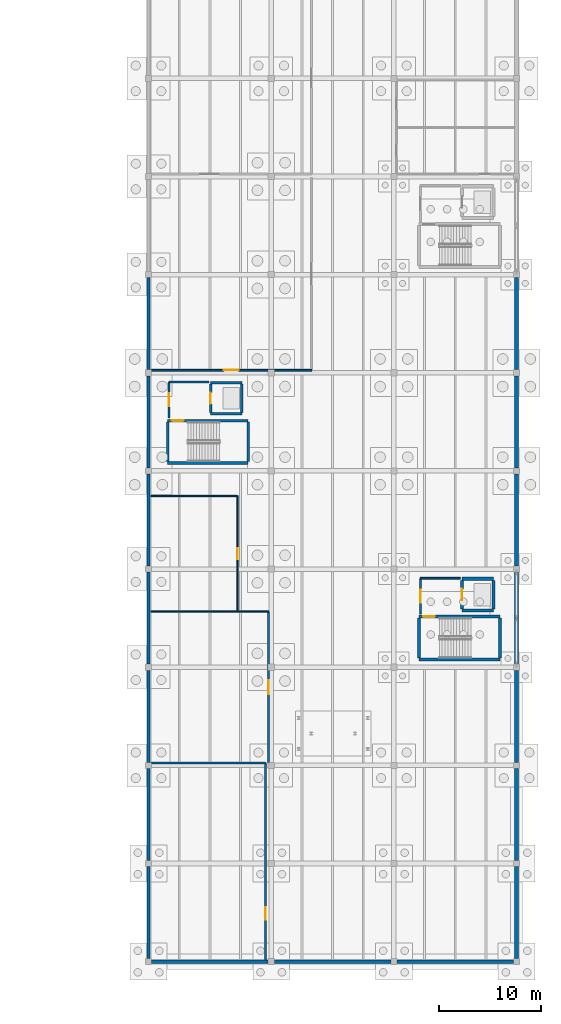
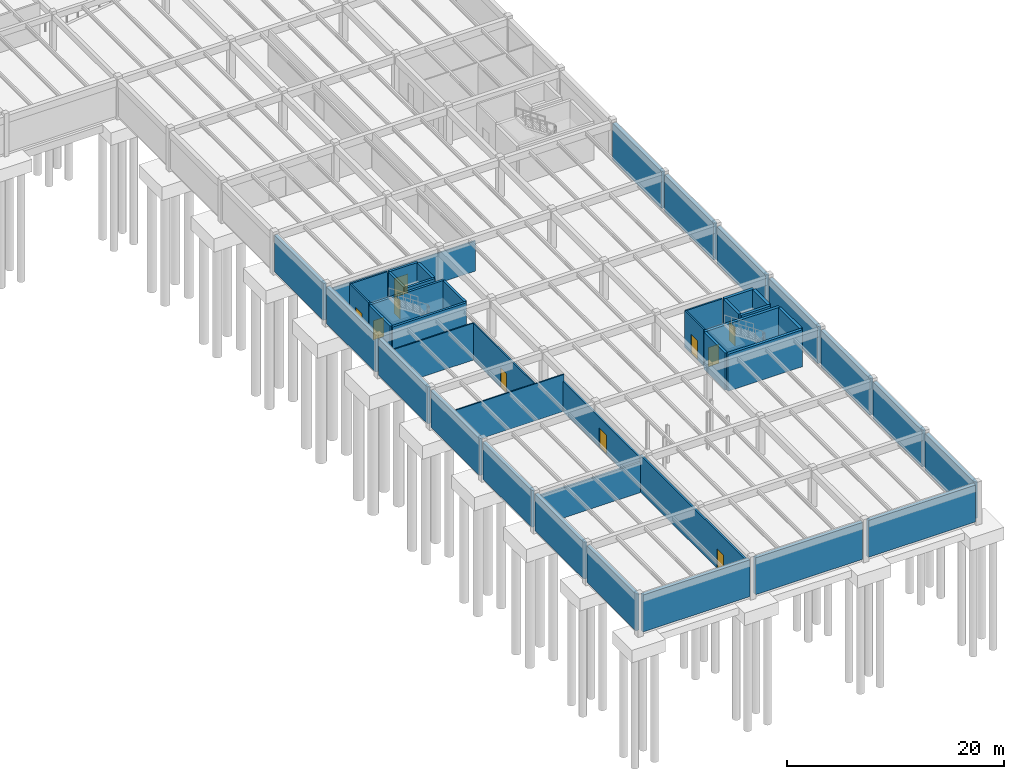
# One storey, part 11 of 20: 44 walls, 10 doors, 10 openings.
"""IFC4 building model written with IfcOpenShell, lengths in metres."""

from ifc_helpers import new_model, si_unit, direction, frame, frame_2d, origin, place, context, subcontext, project, spatial, rectangle, extrude, material, layer, layer_set, type_object, element, fill, save


model = new_model("IFC4")

# Units and contexts
model_context = context("Model", 3, precision=1e-05, world=origin(), true_north=direction((0.0, 1.0)))
body_context = subcontext(model_context, "Body", "Model", "MODEL_VIEW")
ifc_project = project(units=[si_unit("LENGTHUNIT", "METRE"), si_unit("AREAUNIT", "SQUARE_METRE"), si_unit("VOLUMEUNIT", "CUBIC_METRE"), si_unit("PLANEANGLEUNIT", "RADIAN"), si_unit("MASSUNIT", "GRAM", prefix="KILO")], contexts=[model_context])

# Site, building, storey
site_placement = place(None, origin())
site = spatial("IfcSite", under=ifc_project, at=site_placement, CompositionType="ELEMENT")
building_placement = place(site_placement, origin())
building = spatial("IfcBuilding", under=site, at=building_placement, Name="Pandanus Reach Market Hall", CompositionType="ELEMENT")
storey_placement = place(building_placement, frame((0.0, 0.0, -4.5)))
storey = spatial("IfcBuildingStorey", under=building, at=storey_placement, Name="B1", CompositionType="ELEMENT", Elevation=-4.5)

# Wall
ifc_material_1 = material(Name="Concrete N40 (40 MPa)", Category="concrete")
ifc_layer_1 = layer(ifc_material_1, 0.25, Name="WL-CORE-250")
ifc_layer_set_1 = layer_set([ifc_layer_1], Name="Concrete N40 (40 MPa)")
wall_type_1 = type_object("IfcWallType", Name="WL-CORE-250", PredefinedType="SHEAR", material=ifc_layer_set_1)
wall_1_placement = place(storey_placement, frame((145.875, 48.77490234375, 0.0), z_axis=(0.0, 0.0, 1.0), x_axis=(1.0, 0.0, 0.0)))
element("IfcWall", 1, at=wall_1_placement, inside=storey, type_object=wall_type_1, Name="Internal wall WL-CORE-250 WL-0270", PredefinedType="SHEAR", context=body_context, shape_type="SweptSolid", body=[
    extrude(rectangle(XDim=7.8701171875, YDim=0.25, at=frame_2d((3.93505859375, 0.0))), origin(), (0.0, 0.0, 1.0), 4.14990234375),
])

# Wall, opening, door
wall_2_placement = place(storey_placement, frame((145.875, 52.925048828125, 0.0), z_axis=(0.0, 0.0, 1.0), x_axis=(1.0, 0.0, 0.0)))
wall_2 = element("IfcWall", 2, at=wall_2_placement, inside=storey, type_object=wall_type_1, Name="Internal wall WL-CORE-250 WL-0271", PredefinedType="SHEAR", context=body_context, shape_type="SweptSolid", body=[
    extrude(rectangle(XDim=7.8701171875, YDim=0.25, at=frame_2d((3.93505859375, 0.0))), origin(), (0.0, 0.0, 1.0), 4.14990234375),
])
opening_1_placement = place(wall_2_placement, frame((0.39990234375, 0.0, 0.0)))
opening_1 = element("IfcOpeningElement", 3, at=opening_1_placement, cuts=wall_2, Name="Opening DR-FD1", PredefinedType="OPENING", context=body_context, shape_type="SweptSolid", body=[
    extrude(rectangle(XDim=1.14990234375, YDim=2.14990234375, at=frame_2d((0.574951171875, 1.074951171875))), frame((0.0, 0.139892578125, 0.0), z_axis=(0.0, -1.0, 0.0), x_axis=(1.0, 0.0, 0.0)), (0.0, 0.0, 1.0), 0.280029296875),
])
ifc_material_2 = material(Name="Fire-rated steel door", Category="steel")
door_type_1 = type_object("IfcDoorType", Name="DR-FD1", OperationType="NOTDEFINED", PredefinedType="DOOR", material=ifc_material_2)
door_1_placement = place(opening_1_placement, frame((1.14990234375, 0.0, 0.0), z_axis=(0.0, 0.0, 1.0), x_axis=(-1.0, 0.0, 0.0)))
door_1 = element("IfcDoor", 4, at=door_1_placement, inside=storey, type_object=door_type_1, Name="Fire stair door ST-03 B1", OperationType="SINGLE_SWING_RIGHT", OverallHeight=2.14990234375, OverallWidth=1.14990234375, PredefinedType="DOOR", context=body_context, shape_type="SweptSolid", body=[
    extrude(rectangle(XDim=1.14990234375, YDim=2.14990234375, at=frame_2d((0.574951171875, 1.074951171875))), frame((0.0, 0.02490234375, 0.0), z_axis=(0.0, -1.0, 0.0), x_axis=(1.0, 0.0, 0.0)), (0.0, 0.0, 1.0), 0.050048828125),
])
fill(opening_1, door_1)

# Walls
for number, where, z_axis, x_axis, name in (
    (5, (145.875, 48.89990234375, 0.0), (0.0, 0.0, 1.0), (0.0, 1.0, 0.0), "Internal wall WL-CORE-250 WL-0272"),
    (6, (153.7451171875, 48.89990234375, 0.0), (0.0, 0.0, 1.0), (0.0, 1.0, 0.0), "Internal wall WL-CORE-250 WL-0273"),
):
    element("IfcWall", number, at=place(storey_placement, frame(where, z_axis=z_axis, x_axis=x_axis)), inside=storey, type_object=wall_type_1, Name=name, PredefinedType="SHEAR", context=body_context, shape_type="SweptSolid", body=[
        extrude(rectangle(XDim=3.900146484375, YDim=0.25, at=frame_2d((1.9501953125, 0.0))), origin(), (0.0, 0.0, 1.0), 4.14990234375),
    ])
for number, where, z_axis, x_axis, name in (
    (7, (150.074951171875, 53.574951171875, 0.0), (0.0, 0.0, 1.0), (1.0, 0.0, 0.0), "Internal wall WL-CORE-250 WL-0274"),
    (8, (150.074951171875, 56.625, 0.0), (0.0, 0.0, 1.0), (1.0, 0.0, 0.0), "Internal wall WL-CORE-250 WL-0275"),
):
    element("IfcWall", number, at=place(storey_placement, frame(where, z_axis=z_axis, x_axis=x_axis)), inside=storey, type_object=wall_type_1, Name=name, PredefinedType="SHEAR", context=body_context, shape_type="SweptSolid", body=[
        extrude(rectangle(XDim=3.050048828125, YDim=0.25, at=frame_2d((1.52490234375, 0.0))), origin(), (0.0, 0.0, 1.0), 4.14990234375),
    ])
wall_3_placement = place(storey_placement, frame((153.125, 53.699951171875, 0.0), z_axis=(0.0, 0.0, 1.0), x_axis=(0.0, 1.0, 0.0)))
element("IfcWall", 9, at=wall_3_placement, inside=storey, type_object=wall_type_1, Name="Internal wall WL-CORE-250 WL-0276", PredefinedType="SHEAR", context=body_context, shape_type="SweptSolid", body=[
    extrude(rectangle(XDim=2.800048828125, YDim=0.25, at=frame_2d((1.39990234375, 0.0))), origin(), (0.0, 0.0, 1.0), 4.14990234375),
])

# Wall, opening, door
wall_4_placement = place(storey_placement, frame((150.074951171875, 53.699951171875, 0.0), z_axis=(0.0, 0.0, 1.0), x_axis=(0.0, 1.0, 0.0)))
wall_4 = element("IfcWall", 10, at=wall_4_placement, inside=storey, type_object=wall_type_1, Name="Internal wall WL-CORE-250 WL-0277", PredefinedType="SHEAR", context=body_context, shape_type="SweptSolid", body=[
    extrude(rectangle(XDim=2.800048828125, YDim=0.25, at=frame_2d((1.39990234375, 0.0))), origin(), (0.0, 0.0, 1.0), 4.14990234375),
])
opening_2_placement = place(wall_4_placement, frame((0.85009765625, 0.0, 0.0)))
opening_2 = element("IfcOpeningElement", 11, at=opening_2_placement, cuts=wall_4, Name="Opening LD-01", PredefinedType="OPENING", context=body_context, shape_type="SweptSolid", body=[
    extrude(rectangle(XDim=1.10009765625, YDim=2.14990234375, at=frame_2d((0.550048828125, 1.074951171875))), frame((0.0, 0.139892578125, 0.0), z_axis=(0.0, -1.0, 0.0), x_axis=(1.0, 0.0, 0.0)), (0.0, 0.0, 1.0), 0.280029296875),
])
ifc_material_3 = material(Name="Stainless steel lift landing door", Category="steel")
door_type_2 = type_object("IfcDoorType", Name="LD-01", OperationType="SLIDING_TO_LEFT", PredefinedType="DOOR", material=ifc_material_3)
door_2_placement = place(opening_2_placement, origin())
door_2 = element("IfcDoor", 12, at=door_2_placement, inside=storey, type_object=door_type_2, Name="Lift landing door LF-03 LD-01 39", OperationType="SLIDING_TO_LEFT", OverallHeight=2.14990234375, OverallWidth=1.10009765625, PredefinedType="DOOR", context=body_context, shape_type="SweptSolid", body=[
    extrude(rectangle(XDim=1.10009765625, YDim=2.14990234375, at=frame_2d((0.550048828125, 1.074951171875))), frame((0.0, 0.02490234375, 0.0), z_axis=(0.0, -1.0, 0.0), x_axis=(1.0, 0.0, 0.0)), (0.0, 0.0, 1.0), 0.050048828125),
])
fill(opening_2, door_2)

# Wall
ifc_layer_2 = layer(ifc_material_1, 0.300048828125, Name="WL-CORE-300")
ifc_layer_set_2 = layer_set([ifc_layer_2], Name="Concrete N40 (40 MPa)")
wall_type_2 = type_object("IfcWallType", Name="WL-CORE-300", PredefinedType="SHEAR", material=ifc_layer_set_2)
wall_5_placement = place(storey_placement, frame((170.449951171875, 29.550048828125, 0.0), z_axis=(0.0, 0.0, 1.0), x_axis=(1.0, 0.0, 0.0)))
element("IfcWall", 13, at=wall_5_placement, inside=storey, type_object=wall_type_2, Name="Internal wall WL-CORE-300 WL-0150", PredefinedType="SHEAR", context=body_context, shape_type="SweptSolid", body=[
    extrude(rectangle(XDim=7.920166015625, YDim=0.300048828125, at=frame_2d((3.9599609375, 0.0))), origin(), (0.0, 0.0, 1.0), 4.14990234375),
])

# Wall, opening, door
wall_6_placement = place(storey_placement, frame((170.449951171875, 33.75, 0.0), z_axis=(0.0, 0.0, 1.0), x_axis=(1.0, 0.0, 0.0)))
wall_6 = element("IfcWall", 14, at=wall_6_placement, inside=storey, type_object=wall_type_2, Name="Internal wall WL-CORE-300 WL-0151", PredefinedType="SHEAR", context=body_context, shape_type="SweptSolid", body=[
    extrude(rectangle(XDim=7.920166015625, YDim=0.300048828125, at=frame_2d((3.9599609375, 0.0))), origin(), (0.0, 0.0, 1.0), 4.14990234375),
])
opening_3_placement = place(wall_6_placement, frame((0.39990234375, 0.0, 0.0)))
opening_3 = element("IfcOpeningElement", 15, at=opening_3_placement, cuts=wall_6, Name="Opening DR-FD1", PredefinedType="OPENING", context=body_context, shape_type="SweptSolid", body=[
    extrude(rectangle(XDim=1.14990234375, YDim=2.14990234375, at=frame_2d((0.574951171875, 1.074951171875))), frame((0.0, 0.1650390625, 0.0), z_axis=(0.0, -1.0, 0.0), x_axis=(1.0, 0.0, 0.0)), (0.0, 0.0, 1.0), 0.330078125),
])
door_3_placement = place(opening_3_placement, frame((1.14990234375, 0.0, 0.0), z_axis=(0.0, 0.0, 1.0), x_axis=(-1.0, 0.0, 0.0)))
door_3 = element("IfcDoor", 16, at=door_3_placement, inside=storey, type_object=door_type_1, Name="Fire stair door ST-01 B1", OperationType="SINGLE_SWING_RIGHT", OverallHeight=2.14990234375, OverallWidth=1.14990234375, PredefinedType="DOOR", context=body_context, shape_type="SweptSolid", body=[
    extrude(rectangle(XDim=1.14990234375, YDim=2.14990234375, at=frame_2d((0.574951171875, 1.074951171875))), frame((0.0, 0.02490234375, 0.0), z_axis=(0.0, -1.0, 0.0), x_axis=(1.0, 0.0, 0.0)), (0.0, 0.0, 1.0), 0.050048828125),
])
fill(opening_3, door_3)

# Walls
for number, where, z_axis, x_axis, name in (
    (17, (170.449951171875, 29.699951171875, 0.0), (0.0, 0.0, 1.0), (0.0, 1.0, 0.0), "Internal wall WL-CORE-300 WL-0152"),
    (18, (178.3701171875, 29.699951171875, 0.0), (0.0, 0.0, 1.0), (0.0, 1.0, 0.0), "Internal wall WL-CORE-300 WL-0153"),
):
    element("IfcWall", number, at=place(storey_placement, frame(where, z_axis=z_axis, x_axis=x_axis)), inside=storey, type_object=wall_type_2, Name=name, PredefinedType="SHEAR", context=body_context, shape_type="SweptSolid", body=[
        extrude(rectangle(XDim=3.900146484375, YDim=0.300048828125, at=frame_2d((1.9501953125, 0.0))), origin(), (0.0, 0.0, 1.0), 4.14990234375),
    ])
for number, where, z_axis, x_axis, name in (
    (19, (174.64990234375, 34.35009765625, 0.0), (0.0, 0.0, 1.0), (1.0, 0.0, 0.0), "Internal wall WL-CORE-300 WL-0154"),
    (20, (174.64990234375, 37.449951171875, 0.0), (0.0, 0.0, 1.0), (1.0, 0.0, 0.0), "Internal wall WL-CORE-300 WL-0155"),
):
    element("IfcWall", number, at=place(storey_placement, frame(where, z_axis=z_axis, x_axis=x_axis)), inside=storey, type_object=wall_type_2, Name=name, PredefinedType="SHEAR", context=body_context, shape_type="SweptSolid", body=[
        extrude(rectangle(XDim=3.10009765625, YDim=0.300048828125, at=frame_2d((1.550048828125, 0.0))), origin(), (0.0, 0.0, 1.0), 4.14990234375),
    ])
wall_7_placement = place(storey_placement, frame((177.75, 34.5, 0.0), z_axis=(0.0, 0.0, 1.0), x_axis=(0.0, 1.0, 0.0)))
element("IfcWall", 21, at=wall_7_placement, inside=storey, type_object=wall_type_2, Name="Internal wall WL-CORE-300 WL-0156", PredefinedType="SHEAR", context=body_context, shape_type="SweptSolid", body=[
    extrude(rectangle(XDim=2.800048828125, YDim=0.300048828125, at=frame_2d((1.39990234375, 0.0))), origin(), (0.0, 0.0, 1.0), 4.14990234375),
])

# Wall, opening, door
wall_8_placement = place(storey_placement, frame((174.64990234375, 34.5, 0.0), z_axis=(0.0, 0.0, 1.0), x_axis=(0.0, 1.0, 0.0)))
wall_8 = element("IfcWall", 22, at=wall_8_placement, inside=storey, type_object=wall_type_2, Name="Internal wall WL-CORE-300 WL-0157", PredefinedType="SHEAR", context=body_context, shape_type="SweptSolid", body=[
    extrude(rectangle(XDim=2.800048828125, YDim=0.300048828125, at=frame_2d((1.39990234375, 0.0))), origin(), (0.0, 0.0, 1.0), 4.14990234375),
])
opening_4_placement = place(wall_8_placement, frame((0.85009765625, 0.0, 0.0)))
opening_4 = element("IfcOpeningElement", 23, at=opening_4_placement, cuts=wall_8, Name="Opening LD-01", PredefinedType="OPENING", context=body_context, shape_type="SweptSolid", body=[
    extrude(rectangle(XDim=1.10009765625, YDim=2.14990234375, at=frame_2d((0.550048828125, 1.074951171875))), frame((0.0, 0.1650390625, 0.0), z_axis=(0.0, -1.0, 0.0), x_axis=(1.0, 0.0, 0.0)), (0.0, 0.0, 1.0), 0.330078125),
])
door_4_placement = place(opening_4_placement, origin())
door_4 = element("IfcDoor", 24, at=door_4_placement, inside=storey, type_object=door_type_2, Name="Lift landing door LF-01 LD-01 3", OperationType="SLIDING_TO_LEFT", OverallHeight=2.14990234375, OverallWidth=1.10009765625, PredefinedType="DOOR", context=body_context, shape_type="SweptSolid", body=[
    extrude(rectangle(XDim=1.10009765625, YDim=2.14990234375, at=frame_2d((0.550048828125, 1.074951171875))), frame((0.0, 0.02490234375, 0.0), z_axis=(0.0, -1.0, 0.0), x_axis=(1.0, 0.0, 0.0)), (0.0, 0.0, 1.0), 0.050048828125),
])
fill(opening_4, door_4)

ifc_layer_3 = layer(ifc_material_1, 0.199951171875, Name="WL-FIRE-200")
ifc_layer_set_3 = layer_set([ifc_layer_3], Name="Concrete N40 (40 MPa)")
wall_type_3 = type_object("IfcWallType", Name="WL-FIRE-200", PredefinedType="SOLIDWALL", material=ifc_layer_set_3)
wall_9_placement = place(storey_placement, frame((155.449951171875, 0.0400390625, 0.0), z_axis=(0.0, 0.0, 1.0), x_axis=(0.0, 1.0, 0.0)))
wall_9 = element("IfcWall", 25, at=wall_9_placement, inside=storey, type_object=wall_type_3, Name="Internal wall WL-FIRE-200 WL-0460", PredefinedType="SOLIDWALL", context=body_context, shape_type="SweptSolid", body=[
    extrude(rectangle(XDim=19.409912109375, YDim=0.199951171875, at=frame_2d((9.705078125, 0.0))), origin(), (0.0, 0.0, 1.0), 4.14990234375),
])
opening_5_placement = place(wall_9_placement, frame((4.033447265625, 0.0, 0.0)))
opening_5 = element("IfcOpeningElement", 26, at=opening_5_placement, cuts=wall_9, Name="Opening DR-FD2", PredefinedType="OPENING", context=body_context, shape_type="SweptSolid", body=[
    extrude(rectangle(XDim=1.25, YDim=2.199951171875, at=frame_2d((0.625, 1.10009765625))), frame((0.0, 0.114990234375, 0.0), z_axis=(0.0, -1.0, 0.0), x_axis=(1.0, 0.0, 0.0)), (0.0, 0.0, 1.0), 0.22998046875),
])
door_type_3 = type_object("IfcDoorType", Name="DR-FD2", OperationType="NOTDEFINED", PredefinedType="DOOR", material=ifc_material_2)
door_5_placement = place(opening_5_placement, origin())
door_5 = element("IfcDoor", 27, at=door_5_placement, inside=storey, type_object=door_type_3, Name="Refrigeration plant fire door DR-FD2 101", OperationType="SINGLE_SWING_RIGHT", OverallHeight=2.199951171875, OverallWidth=1.25, PredefinedType="DOOR", context=body_context, shape_type="SweptSolid", body=[
    extrude(rectangle(XDim=1.25, YDim=2.199951171875, at=frame_2d((0.625, 1.10009765625))), frame((0.0, 0.02490234375, 0.0), z_axis=(0.0, -1.0, 0.0), x_axis=(1.0, 0.0, 0.0)), (0.0, 0.0, 1.0), 0.050048828125),
])
fill(opening_5, door_5)

# Wall
wall_10_placement = place(storey_placement, frame((144.199951171875, 19.449951171875, 0.0), z_axis=(0.0, 0.0, 1.0), x_axis=(1.0, 0.0, 0.0)))
element("IfcWall", 28, at=wall_10_placement, inside=storey, type_object=wall_type_3, Name="Internal wall WL-FIRE-200 WL-0461", PredefinedType="SOLIDWALL", context=body_context, shape_type="SweptSolid", body=[
    extrude(rectangle(XDim=11.25, YDim=0.199951171875, at=frame_2d((5.625, 0.0))), origin(), (0.0, 0.0, 1.0), 3.389892578125),
])

# Wall, opening, door
wall_11_placement = place(storey_placement, frame((155.75, 19.449951171875, 0.0), z_axis=(0.0, 0.0, 1.0), x_axis=(0.0, 1.0, 0.0)))
wall_11 = element("IfcWall", 29, at=wall_11_placement, inside=storey, type_object=wall_type_3, Name="Internal wall WL-FIRE-200 WL-0462", PredefinedType="SOLIDWALL", context=body_context, shape_type="SweptSolid", body=[
    extrude(rectangle(XDim=14.800048828125, YDim=0.199951171875, at=frame_2d((7.39990234375, 0.0))), origin(), (0.0, 0.0, 1.0), 3.389892578125),
])
opening_6_placement = place(wall_11_placement, frame((6.72509765625, 0.0, 0.0)))
opening_6 = element("IfcOpeningElement", 30, at=opening_6_placement, cuts=wall_11, Name="Opening DR-FD4", PredefinedType="OPENING", context=body_context, shape_type="SweptSolid", body=[
    extrude(rectangle(XDim=1.35009765625, YDim=2.199951171875, at=frame_2d((0.675048828125, 1.10009765625))), frame((0.0, 0.114990234375, 0.0), z_axis=(0.0, -1.0, 0.0), x_axis=(1.0, 0.0, 0.0)), (0.0, 0.0, 1.0), 0.22998046875),
])
ifc_material_4 = material(Name="Fire-rated plant room door")
door_type_4 = type_object("IfcDoorType", Name="DR-FD4", OperationType="NOTDEFINED", PredefinedType="DOOR", material=ifc_material_4)
door_6_placement = place(opening_6_placement, origin())
door_6 = element("IfcDoor", 31, at=door_6_placement, inside=storey, type_object=door_type_4, Name="Main switchroom fire door DR-FD4 102", OperationType="SINGLE_SWING_LEFT", OverallHeight=2.199951171875, OverallWidth=1.35009765625, PredefinedType="DOOR", context=body_context, shape_type="SweptSolid", body=[
    extrude(rectangle(XDim=1.35009765625, YDim=2.199951171875, at=frame_2d((0.675048828125, 1.10009765625))), frame((0.0, 0.02490234375, 0.0), z_axis=(0.0, -1.0, 0.0), x_axis=(1.0, 0.0, 0.0)), (0.0, 0.0, 1.0), 0.050048828125),
])
fill(opening_6, door_6)

ifc_layer_4 = layer(ifc_material_1, 0.175048828125, Name="WL-LOB-175")
ifc_layer_set_4 = layer_set([ifc_layer_4], Name="Concrete N40 (40 MPa)")
wall_type_4 = type_object("IfcWallType", Name="WL-LOB-175", PredefinedType="PARTITIONING", material=ifc_layer_set_4)
wall_12_placement = place(storey_placement, frame((170.60009765625, 34.0, 0.0), z_axis=(0.0, 0.0, 1.0), x_axis=(0.0, 1.0, 0.0)))
wall_12 = element("IfcWall", 32, at=wall_12_placement, inside=storey, type_object=wall_type_4, Name="Internal wall WL-LOB-175 WL-0158", PredefinedType="PARTITIONING", context=body_context, shape_type="SweptSolid", body=[
    extrude(rectangle(XDim=3.5, YDim=0.175048828125, at=frame_2d((1.75, 0.0))), origin(), (0.0, 0.0, 1.0), 4.14990234375),
])
opening_7_placement = place(wall_12_placement, frame((1.125, 0.0, 0.0)))
opening_7 = element("IfcOpeningElement", 33, at=opening_7_placement, cuts=wall_12, Name="Opening DR-FD2", PredefinedType="OPENING", context=body_context, shape_type="SweptSolid", body=[
    extrude(rectangle(XDim=1.25, YDim=2.199951171875, at=frame_2d((0.625, 1.10009765625))), frame((0.0, 0.1025390625, 0.0), z_axis=(0.0, -1.0, 0.0), x_axis=(1.0, 0.0, 0.0)), (0.0, 0.0, 1.0), 0.205078125),
])
door_7_placement = place(opening_7_placement, frame((1.25, 0.0, 0.0), z_axis=(0.0, 0.0, 1.0), x_axis=(-1.0, 0.0, 0.0)))
door_7 = element("IfcDoor", 34, at=door_7_placement, inside=storey, type_object=door_type_3, Name="Core C1 lobby fire door DR-FD2 4", OperationType="SINGLE_SWING_LEFT", OverallHeight=2.199951171875, OverallWidth=1.25, PredefinedType="DOOR", context=body_context, shape_type="SweptSolid", body=[
    extrude(rectangle(XDim=1.25, YDim=2.199951171875, at=frame_2d((0.625, 1.10009765625))), frame((0.0, 0.02490234375, 0.0), z_axis=(0.0, -1.0, 0.0), x_axis=(1.0, 0.0, 0.0)), (0.0, 0.0, 1.0), 0.050048828125),
])
fill(opening_7, door_7)

# Wall
wall_13_placement = place(storey_placement, frame((170.60009765625, 37.5, 0.0), z_axis=(0.0, 0.0, 1.0), x_axis=(1.0, 0.0, 0.0)))
element("IfcWall", 35, at=wall_13_placement, inside=storey, type_object=wall_type_4, Name="Internal wall WL-LOB-175 WL-0159", PredefinedType="PARTITIONING", context=body_context, shape_type="SweptSolid", body=[
    extrude(rectangle(XDim=3.89990234375, YDim=0.175048828125, at=frame_2d((1.949951171875, 0.0))), origin(), (0.0, 0.0, 1.0), 4.14990234375),
])

# Wall, opening, door
wall_14_placement = place(storey_placement, frame((146.0, 53.199951171875, 0.0), z_axis=(0.0, 0.0, 1.0), x_axis=(0.0, 1.0, 0.0)))
wall_14 = element("IfcWall", 36, at=wall_14_placement, inside=storey, type_object=wall_type_4, Name="Internal wall WL-LOB-175 WL-0278", PredefinedType="PARTITIONING", context=body_context, shape_type="SweptSolid", body=[
    extrude(rectangle(XDim=3.5, YDim=0.175048828125, at=frame_2d((1.75, 0.0))), origin(), (0.0, 0.0, 1.0), 4.14990234375),
])
opening_8_placement = place(wall_14_placement, frame((1.125, 0.0, 0.0)))
opening_8 = element("IfcOpeningElement", 37, at=opening_8_placement, cuts=wall_14, Name="Opening DR-FD2", PredefinedType="OPENING", context=body_context, shape_type="SweptSolid", body=[
    extrude(rectangle(XDim=1.25, YDim=2.199951171875, at=frame_2d((0.625, 1.10009765625))), frame((0.0, 0.1025390625, 0.0), z_axis=(0.0, -1.0, 0.0), x_axis=(1.0, 0.0, 0.0)), (0.0, 0.0, 1.0), 0.205078125),
])
door_8_placement = place(opening_8_placement, frame((1.25, 0.0, 0.0), z_axis=(0.0, 0.0, 1.0), x_axis=(-1.0, 0.0, 0.0)))
door_8 = element("IfcDoor", 38, at=door_8_placement, inside=storey, type_object=door_type_3, Name="Core C3 lobby fire door DR-FD2 40", OperationType="SINGLE_SWING_LEFT", OverallHeight=2.199951171875, OverallWidth=1.25, PredefinedType="DOOR", context=body_context, shape_type="SweptSolid", body=[
    extrude(rectangle(XDim=1.25, YDim=2.199951171875, at=frame_2d((0.625, 1.10009765625))), frame((0.0, 0.02490234375, 0.0), z_axis=(0.0, -1.0, 0.0), x_axis=(1.0, 0.0, 0.0)), (0.0, 0.0, 1.0), 0.050048828125),
])
fill(opening_8, door_8)

# Walls
wall_15_placement = place(storey_placement, frame((146.0, 56.699951171875, 0.0), z_axis=(0.0, 0.0, 1.0), x_axis=(1.0, 0.0, 0.0)))
element("IfcWall", 39, at=wall_15_placement, inside=storey, type_object=wall_type_4, Name="Internal wall WL-LOB-175 WL-0279", PredefinedType="PARTITIONING", context=body_context, shape_type="SweptSolid", body=[
    extrude(rectangle(XDim=3.89990234375, YDim=0.175048828125, at=frame_2d((1.949951171875, 0.0))), origin(), (0.0, 0.0, 1.0), 4.14990234375),
])
ifc_material_5 = material(Name="Moisture-resistant plasterboard partition", Category="gypsum")
ifc_layer_5 = layer(ifc_material_5, 0.135009765625, Name="WL-PRT-135")
ifc_layer_set_5 = layer_set([ifc_layer_5], Name="Moisture-resistant plasterboard partition")
wall_type_5 = type_object("IfcWallType", Name="WL-PRT-135", PredefinedType="PARTITIONING", material=ifc_layer_set_5)
wall_16_placement = place(storey_placement, frame((144.199951171875, 34.25, 0.0), z_axis=(0.0, 0.0, 1.0), x_axis=(1.0, 0.0, 0.0)))
element("IfcWall", 40, at=wall_16_placement, inside=storey, type_object=wall_type_5, Name="Internal wall WL-PRT-135 WL-0463", PredefinedType="PARTITIONING", context=body_context, shape_type="SweptSolid", body=[
    extrude(rectangle(XDim=11.550048828125, YDim=0.135009765625, at=frame_2d((5.77490234375, 0.0))), origin(), (0.0, 0.0, 1.0), 4.14990234375),
])

# Wall, opening, door
wall_17_placement = place(storey_placement, frame((152.699951171875, 34.25, 0.0), z_axis=(0.0, 0.0, 1.0), x_axis=(0.0, 1.0, 0.0)))
wall_17 = element("IfcWall", 41, at=wall_17_placement, inside=storey, type_object=wall_type_5, Name="Internal wall WL-PRT-135 WL-0464", PredefinedType="PARTITIONING", context=body_context, shape_type="SweptSolid", body=[
    extrude(rectangle(XDim=11.300048828125, YDim=0.135009765625, at=frame_2d((5.64990234375, 0.0))), origin(), (0.0, 0.0, 1.0), 4.14990234375),
])
opening_9_placement = place(wall_17_placement, frame((5.090087890625, 0.0, 0.0)))
opening_9 = element("IfcOpeningElement", 42, at=opening_9_placement, cuts=wall_17, Name="Opening DR-I11", PredefinedType="OPENING", context=body_context, shape_type="SweptSolid", body=[
    extrude(rectangle(XDim=1.1201171875, YDim=2.179931640625, at=frame_2d((0.56005859375, 1.08984375))), frame((0.0, 0.08251953125, 0.0), z_axis=(0.0, -1.0, 0.0), x_axis=(1.0, 0.0, 0.0)), (0.0, 0.0, 1.0), 0.1650390625),
])
ifc_material_6 = material(Name="Commercial kitchen hygienic door")
door_type_5 = type_object("IfcDoorType", Name="DR-I11", OperationType="NOTDEFINED", PredefinedType="DOOR", material=ifc_material_6)
door_9_placement = place(opening_9_placement, origin())
door_9 = element("IfcDoor", 43, at=door_9_placement, inside=storey, type_object=door_type_5, Name="Trader locker room door DR-I11 103", OperationType="SINGLE_SWING_RIGHT", OverallHeight=2.179931640625, OverallWidth=1.1201171875, PredefinedType="DOOR", context=body_context, shape_type="SweptSolid", body=[
    extrude(rectangle(XDim=1.1201171875, YDim=2.179931640625, at=frame_2d((0.56005859375, 1.08984375))), frame((0.0, 0.02490234375, 0.0), z_axis=(0.0, -1.0, 0.0), x_axis=(1.0, 0.0, 0.0)), (0.0, 0.0, 1.0), 0.050048828125),
])
fill(opening_9, door_9)

# Wall
wall_18_placement = place(storey_placement, frame((144.199951171875, 45.550048828125, 0.0), z_axis=(0.0, 0.0, 1.0), x_axis=(1.0, 0.0, 0.0)))
element("IfcWall", 44, at=wall_18_placement, inside=storey, type_object=wall_type_5, Name="Internal wall WL-PRT-135 WL-0465", PredefinedType="PARTITIONING", context=body_context, shape_type="SweptSolid", body=[
    extrude(rectangle(XDim=8.5, YDim=0.135009765625, at=frame_2d((4.25, 0.0))), origin(), (0.0, 0.0, 1.0), 4.14990234375),
])

# Wall, opening, door
ifc_material_7 = material(Name="Acoustic plasterboard on steel framing", Category="steel")
ifc_layer_6 = layer(ifc_material_7, 0.14990234375, Name="WL-PRT-150")
ifc_layer_set_6 = layer_set([ifc_layer_6], Name="Acoustic plasterboard on steel framing")
wall_type_6 = type_object("IfcWallType", Name="WL-PRT-150", PredefinedType="PARTITIONING", material=ifc_layer_set_6)
wall_19_placement = place(storey_placement, frame((144.199951171875, 57.85009765625, 0.0), z_axis=(0.0, 0.0, 1.0), x_axis=(1.0, 0.0, 0.0)))
wall_19 = element("IfcWall", 45, at=wall_19_placement, inside=storey, type_object=wall_type_6, Name="Internal wall WL-PRT-150 WL-0459", PredefinedType="PARTITIONING", context=body_context, shape_type="SweptSolid", body=[
    extrude(rectangle(XDim=15.75, YDim=0.14990234375, at=frame_2d((7.875, 0.0))), origin(), (0.0, 0.0, 1.0), 3.389892578125),
])
opening_10_placement = place(wall_19_placement, frame((7.14990234375, 0.0, 0.0)))
opening_10 = element("IfcOpeningElement", 46, at=opening_10_placement, cuts=wall_19, Name="Opening DR-I14", PredefinedType="OPENING", context=body_context, shape_type="SweptSolid", body=[
    extrude(rectangle(XDim=1.449951171875, YDim=2.14990234375, at=frame_2d((0.72509765625, 1.074951171875))), frame((0.0, 0.08984375, 0.0), z_axis=(0.0, -1.0, 0.0), x_axis=(1.0, 0.0, 0.0)), (0.0, 0.0, 1.0), 0.179931640625),
])
ifc_material_8 = material(Name="Cold-store insulated leaf door")
door_type_6 = type_object("IfcDoorType", Name="DR-I14", OperationType="NOTDEFINED", PredefinedType="DOOR", material=ifc_material_8)
door_10_placement = place(opening_10_placement, origin())
door_10 = element("IfcDoor", 47, at=door_10_placement, inside=storey, type_object=door_type_6, Name="Bonded store south corridor door DR-I14 100", OperationType="SINGLE_SWING_LEFT", OverallHeight=2.14990234375, OverallWidth=1.449951171875, PredefinedType="DOOR", context=body_context, shape_type="SweptSolid", body=[
    extrude(rectangle(XDim=1.449951171875, YDim=2.14990234375, at=frame_2d((0.72509765625, 1.074951171875))), frame((0.0, 0.02490234375, 0.0), z_axis=(0.0, -1.0, 0.0), x_axis=(1.0, 0.0, 0.0)), (0.0, 0.0, 1.0), 0.050048828125),
])
fill(opening_10, door_10)

# Walls
ifc_layer_7 = layer(ifc_material_1, 0.320068359375, Name="WL-RET-320")
ifc_layer_set_7 = layer_set([ifc_layer_7], Name="Concrete N40 (40 MPa)")
wall_type_7 = type_object("IfcWallType", Name="WL-RET-320", PredefinedType="USERDEFINED", material=ifc_layer_set_7)
for number, where, z_axis, x_axis, name in (
    (48, (144.0, 0.300048828125, 0.0), (0.0, 0.0, 1.0), (0.0, 1.0, 0.0), "External wall WL-RET-320 WL-0035"),
    (49, (144.0, 9.89990234375, 0.0), (0.0, 0.0, 1.0), (0.0, 1.0, 0.0), "External wall WL-RET-320 WL-0036"),
    (50, (144.0, 19.5, 0.0), (0.0, 0.0, 1.0), (0.0, 1.0, 0.0), "External wall WL-RET-320 WL-0037"),
    (51, (144.0, 29.10009765625, 0.0), (0.0, 0.0, 1.0), (0.0, 1.0, 0.0), "External wall WL-RET-320 WL-0038"),
    (52, (144.0, 38.699951171875, 0.0), (0.0, 0.0, 1.0), (0.0, 1.0, 0.0), "External wall WL-RET-320 WL-0039"),
    (53, (144.0, 48.300048828125, 0.0), (0.0, 0.0, 1.0), (0.0, 1.0, 0.0), "External wall WL-RET-320 WL-0040"),
    (54, (144.0, 57.89990234375, 0.0), (0.0, 0.0, 1.0), (0.0, 1.0, 0.0), "External wall WL-RET-320 WL-0041"),
):
    element("IfcWall", number, at=place(storey_placement, frame(where, z_axis=z_axis, x_axis=x_axis)), inside=storey, type_object=wall_type_7, Name=name, ObjectType="RETAINING", PredefinedType="USERDEFINED", context=body_context, shape_type="SweptSolid", body=[
        extrude(rectangle(XDim=9.0, YDim=0.320068359375, at=frame_2d((4.5, 0.0))), origin(), (0.0, 0.0, 1.0), 4.14990234375),
    ])
ifc_layer_8 = layer(ifc_material_1, 0.360107421875, Name="WL-RET-360")
ifc_layer_set_8 = layer_set([ifc_layer_8], Name="Concrete N40 (40 MPa)")
wall_type_8 = type_object("IfcWallType", Name="WL-RET-360", PredefinedType="USERDEFINED", material=ifc_layer_set_8)
for number, where, z_axis, x_axis, name in (
    (55, (144.300048828125, 0.0, 0.0), (0.0, 0.0, 1.0), (1.0, 0.0, 0.0), "External wall WL-RET-360 WL-0001"),
    (56, (156.300048828125, 0.0, 0.0), (0.0, 0.0, 1.0), (1.0, 0.0, 0.0), "External wall WL-RET-360 WL-0002"),
    (57, (168.300048828125, 0.0, 0.0), (0.0, 0.0, 1.0), (1.0, 0.0, 0.0), "External wall WL-RET-360 WL-0003"),
):
    element("IfcWall", number, at=place(storey_placement, frame(where, z_axis=z_axis, x_axis=x_axis)), inside=storey, type_object=wall_type_8, Name=name, ObjectType="RETAINING", PredefinedType="USERDEFINED", context=body_context, shape_type="SweptSolid", body=[
        extrude(rectangle(XDim=11.39990234375, YDim=0.360107421875, at=frame_2d((5.699951171875, 0.0))), origin(), (0.0, 0.0, 1.0), 4.14990234375),
    ])
for number, where, z_axis, x_axis, name in (
    (58, (180.0, 0.300048828125, 0.0), (0.0, 0.0, 1.0), (0.0, 1.0, 0.0), "External wall WL-RET-360 WL-0004"),
    (59, (180.0, 9.89990234375, 0.0), (0.0, 0.0, 1.0), (0.0, 1.0, 0.0), "External wall WL-RET-360 WL-0005"),
    (60, (180.0, 19.5, 0.0), (0.0, 0.0, 1.0), (0.0, 1.0, 0.0), "External wall WL-RET-360 WL-0006"),
    (61, (180.0, 29.10009765625, 0.0), (0.0, 0.0, 1.0), (0.0, 1.0, 0.0), "External wall WL-RET-360 WL-0007"),
    (62, (180.0, 38.699951171875, 0.0), (0.0, 0.0, 1.0), (0.0, 1.0, 0.0), "External wall WL-RET-360 WL-0008"),
    (63, (180.0, 48.300048828125, 0.0), (0.0, 0.0, 1.0), (0.0, 1.0, 0.0), "External wall WL-RET-360 WL-0009"),
    (64, (180.0, 57.89990234375, 0.0), (0.0, 0.0, 1.0), (0.0, 1.0, 0.0), "External wall WL-RET-360 WL-0010"),
):
    element("IfcWall", number, at=place(storey_placement, frame(where, z_axis=z_axis, x_axis=x_axis)), inside=storey, type_object=wall_type_8, Name=name, ObjectType="RETAINING", PredefinedType="USERDEFINED", context=body_context, shape_type="SweptSolid", body=[
        extrude(rectangle(XDim=9.0, YDim=0.360107421875, at=frame_2d((4.5, 0.0))), origin(), (0.0, 0.0, 1.0), 4.14990234375),
    ])

save(model, "model.ifc")
